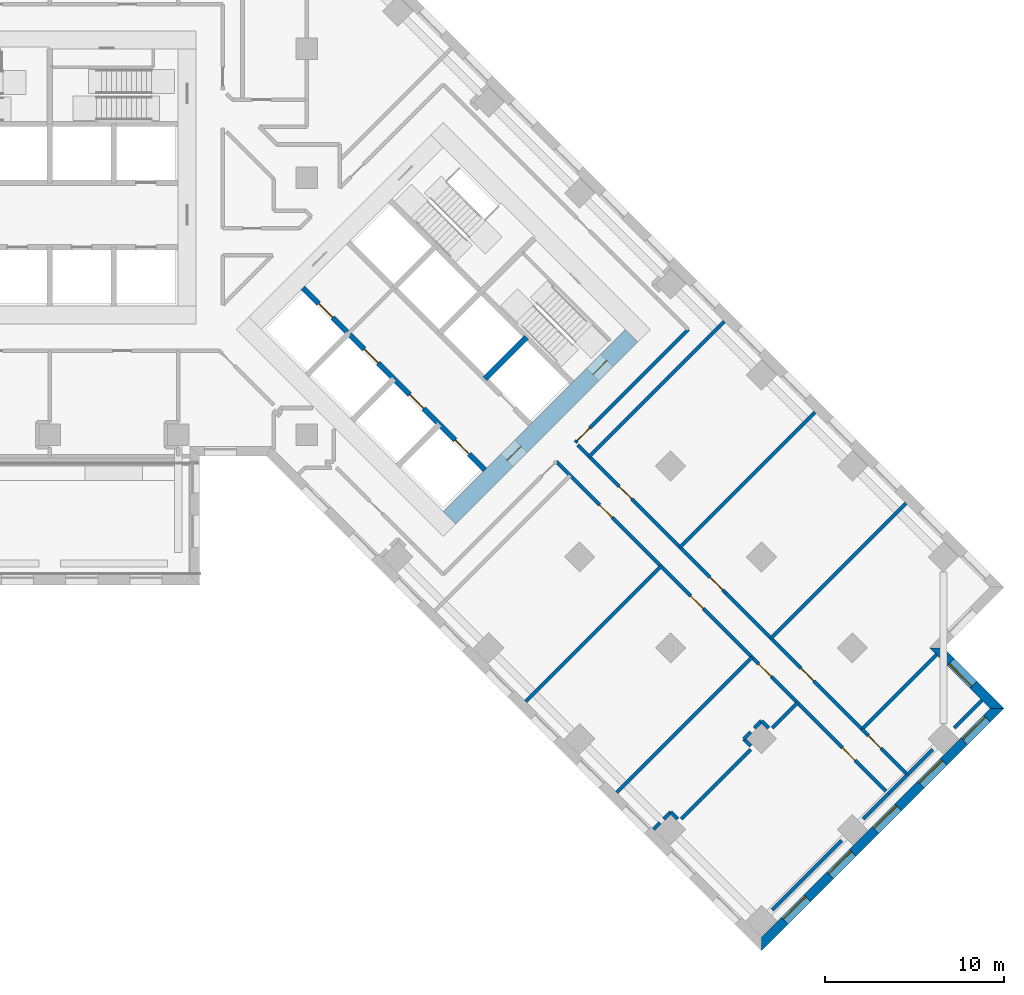
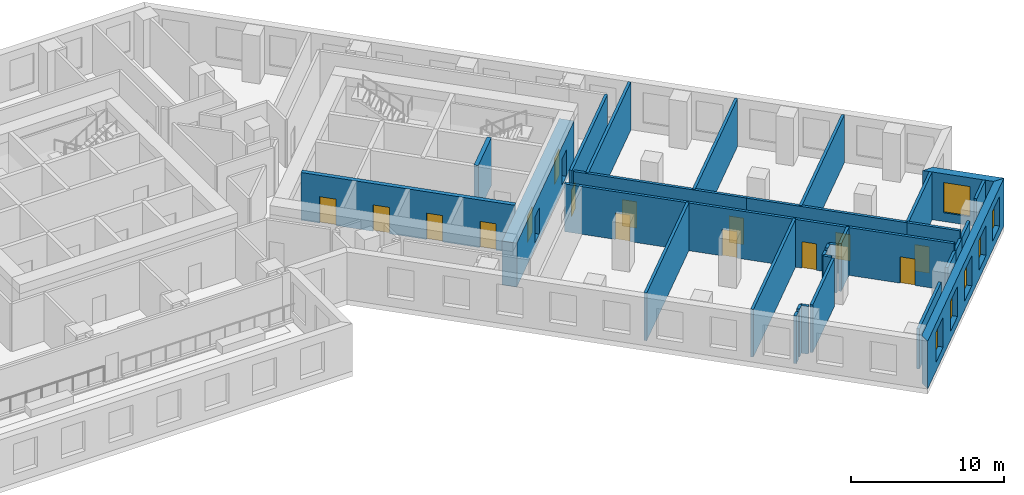
# One storey, part 8 of 14: 30 walls, 15 doors, 6 windows, 21 openings.
"""IFC4 building model written with IfcOpenShell, lengths in metres."""

from ifc_helpers import new_model, si_unit, direction, frame, frame_2d, origin, place, context, subcontext, project, spatial, polyline, rectangle, outline, extrude, material, layer, layer_set, type_object, element, fill, save


model = new_model("IFC4")

# Units and contexts
model_context = context("Model", 3, precision=1e-05, world=origin(), true_north=direction((0.0, 1.0)))
body_context = subcontext(model_context, "Body", "Model", "MODEL_VIEW")
ifc_project = project(units=[si_unit("LENGTHUNIT", "METRE"), si_unit("AREAUNIT", "SQUARE_METRE"), si_unit("VOLUMEUNIT", "CUBIC_METRE"), si_unit("PLANEANGLEUNIT", "RADIAN"), si_unit("MASSUNIT", "GRAM", prefix="KILO")], contexts=[model_context])

# Site, building, storey
site_placement = place(None, origin())
site = spatial("IfcSite", under=ifc_project, at=site_placement, CompositionType="ELEMENT")
building_placement = place(site_placement, origin())
building = spatial("IfcBuilding", under=site, at=building_placement, Name="Windrow Commons", CompositionType="ELEMENT")
storey_placement = place(building_placement, frame((0.0, 0.0, 18.6)))
storey = spatial("IfcBuildingStorey", under=building, at=storey_placement, Name="L04", CompositionType="ELEMENT", Elevation=18.6)

# Wall, openings, windows
ifc_material_1 = material(Name="Brick masonry, red clay brick", Category="masonry")
ifc_layer_1 = layer(ifc_material_1, 0.55)
ifc_layer_set_1 = layer_set([ifc_layer_1], Name="Brick facade wall 550")
wall_type_1 = type_object("IfcWallType", Name="Brick facade wall 550", PredefinedType="SOLIDWALL", material=ifc_layer_set_1)
wall_1_placement = place(storey_placement, frame((104.6558, 14.689, 0.0), z_axis=(0.0, 0.0, 1.0), x_axis=(0.7071094621, 0.7071041002, 0.0)))
wall_1 = element("IfcWall", 1, at=wall_1_placement, inside=storey, type_object=wall_type_1, Name="Brick facade wall L04 1", PredefinedType="SOLIDWALL", context=body_context, shape_type="SweptSolid", body=[
    extrude(outline(polyline([(-0.275, -0.275), (18.925, -0.275), (18.375, 0.275), (0.275, 0.275), (-0.275, -0.275)])), origin(), (0.0, 0.0, 1.0), 3.8),
])
opening_1_placement = place(wall_1_placement, frame((1.825, 0.0, 0.7)))
opening_1 = element("IfcOpeningElement", 2, at=opening_1_placement, cuts=wall_1, Name="Opening W2B", PredefinedType="OPENING", context=body_context, shape_type="SweptSolid", body=[
    extrude(rectangle(XDim=1.8, YDim=2.4, at=frame_2d((0.9, 1.2))), frame((0.0, 0.285, 0.0), z_axis=(0.0, -1.0, 0.0), x_axis=(1.0, 0.0, 0.0)), (0.0, 0.0, 1.0), 0.57),
])
opening_2_placement = place(wall_1_placement, frame((5.425, 0.0, 0.7)))
opening_2 = element("IfcOpeningElement", 3, at=opening_2_placement, cuts=wall_1, Name="Opening W2B", PredefinedType="OPENING", context=body_context, shape_type="SweptSolid", body=[
    extrude(rectangle(XDim=1.8, YDim=2.4, at=frame_2d((0.9, 1.2))), frame((0.0, 0.285, 0.0), z_axis=(0.0, -1.0, 0.0), x_axis=(1.0, 0.0, 0.0)), (0.0, 0.0, 1.0), 0.57),
])
opening_3_placement = place(wall_1_placement, frame((9.025, 0.0, 0.7)))
opening_3 = element("IfcOpeningElement", 4, at=opening_3_placement, cuts=wall_1, Name="Opening W2B", PredefinedType="OPENING", context=body_context, shape_type="SweptSolid", body=[
    extrude(rectangle(XDim=1.8, YDim=2.4, at=frame_2d((0.9, 1.2))), frame((0.0, 0.285, 0.0), z_axis=(0.0, -1.0, 0.0), x_axis=(1.0, 0.0, 0.0)), (0.0, 0.0, 1.0), 0.57),
])
opening_4_placement = place(wall_1_placement, frame((12.625, 0.0, 0.7)))
opening_4 = element("IfcOpeningElement", 5, at=opening_4_placement, cuts=wall_1, Name="Opening W2B", PredefinedType="OPENING", context=body_context, shape_type="SweptSolid", body=[
    extrude(rectangle(XDim=1.8, YDim=2.4, at=frame_2d((0.9, 1.2))), frame((0.0, 0.285, 0.0), z_axis=(0.0, -1.0, 0.0), x_axis=(1.0, 0.0, 0.0)), (0.0, 0.0, 1.0), 0.57),
])
opening_5_placement = place(wall_1_placement, frame((16.05, 0.0, 0.7)))
opening_5 = element("IfcOpeningElement", 6, at=opening_5_placement, cuts=wall_1, Name="Opening W2B", PredefinedType="OPENING", context=body_context, shape_type="SweptSolid", body=[
    extrude(rectangle(XDim=1.8, YDim=2.4, at=frame_2d((0.9, 1.2))), frame((0.0, 0.285, 0.0), z_axis=(0.0, -1.0, 0.0), x_axis=(1.0, 0.0, 0.0)), (0.0, 0.0, 1.0), 0.57),
])
ifc_material_2 = material(Name="Clear float glass in anodised aluminium frame", Category="aluminium")
window_type = type_object("IfcWindowType", Name="Window W2 podium 1800x2400", PartitioningType="SINGLE_PANEL", PredefinedType="WINDOW", material=ifc_material_2)
window_1_placement = place(opening_1_placement, origin())
window_1 = element("IfcWindow", 7, at=window_1_placement, inside=storey, type_object=window_type, Name="Window L04 1.1", OverallHeight=2.4, OverallWidth=1.8, PartitioningType="SINGLE_PANEL", PredefinedType="WINDOW", context=body_context, shape_type="SweptSolid", body=[
    extrude(rectangle(XDim=1.8, YDim=2.4, at=frame_2d((0.9, 1.2))), frame((0.0, 0.155, 0.0), z_axis=(0.0, -1.0, 0.0), x_axis=(1.0, 0.0, 0.0)), (0.0, 0.0, 1.0), 0.06),
])
fill(opening_1, window_1)
window_2_placement = place(opening_2_placement, origin())
window_2 = element("IfcWindow", 8, at=window_2_placement, inside=storey, type_object=window_type, Name="Window L04 1.2", OverallHeight=2.4, OverallWidth=1.8, PartitioningType="SINGLE_PANEL", PredefinedType="WINDOW", context=body_context, shape_type="SweptSolid", body=[
    extrude(rectangle(XDim=1.8, YDim=2.4, at=frame_2d((0.9, 1.2))), frame((0.0, 0.155, 0.0), z_axis=(0.0, -1.0, 0.0), x_axis=(1.0, 0.0, 0.0)), (0.0, 0.0, 1.0), 0.06),
])
fill(opening_2, window_2)
window_3_placement = place(opening_3_placement, origin())
window_3 = element("IfcWindow", 9, at=window_3_placement, inside=storey, type_object=window_type, Name="Window L04 1.3", OverallHeight=2.4, OverallWidth=1.8, PartitioningType="SINGLE_PANEL", PredefinedType="WINDOW", context=body_context, shape_type="SweptSolid", body=[
    extrude(rectangle(XDim=1.8, YDim=2.4, at=frame_2d((0.9, 1.2))), frame((0.0, 0.155, 0.0), z_axis=(0.0, -1.0, 0.0), x_axis=(1.0, 0.0, 0.0)), (0.0, 0.0, 1.0), 0.06),
])
fill(opening_3, window_3)
window_4_placement = place(opening_4_placement, origin())
window_4 = element("IfcWindow", 10, at=window_4_placement, inside=storey, type_object=window_type, Name="Window L04 1.4", OverallHeight=2.4, OverallWidth=1.8, PartitioningType="SINGLE_PANEL", PredefinedType="WINDOW", context=body_context, shape_type="SweptSolid", body=[
    extrude(rectangle(XDim=1.8, YDim=2.4, at=frame_2d((0.9, 1.2))), frame((0.0, 0.155, 0.0), z_axis=(0.0, -1.0, 0.0), x_axis=(1.0, 0.0, 0.0)), (0.0, 0.0, 1.0), 0.06),
])
fill(opening_4, window_4)
window_5_placement = place(opening_5_placement, origin())
window_5 = element("IfcWindow", 11, at=window_5_placement, inside=storey, type_object=window_type, Name="Window L04 1.5", OverallHeight=2.4, OverallWidth=1.8, PartitioningType="SINGLE_PANEL", PredefinedType="WINDOW", context=body_context, shape_type="SweptSolid", body=[
    extrude(rectangle(XDim=1.8, YDim=2.4, at=frame_2d((0.9, 1.2))), frame((0.0, 0.155, 0.0), z_axis=(0.0, -1.0, 0.0), x_axis=(1.0, 0.0, 0.0)), (0.0, 0.0, 1.0), 0.06),
])
fill(opening_5, window_5)

# Wall, opening, window
wall_2_placement = place(storey_placement, frame((117.8434, 27.8765, 0.0), z_axis=(0.0, 0.0, 1.0), x_axis=(-0.7071067812, 0.7071067812, 0.0)))
wall_2 = element("IfcWall", 12, at=wall_2_placement, inside=storey, type_object=wall_type_1, Name="Brick facade wall L04 2", PredefinedType="SOLIDWALL", context=body_context, shape_type="SweptSolid", body=[
    extrude(outline(polyline([(-0.275, -0.275), (4.525, -0.275), (5.075, 0.275), (0.275, 0.275), (-0.275, -0.275)])), origin(), (0.0, 0.0, 1.0), 3.8),
])
opening_6_placement = place(wall_2_placement, frame((1.8625, 0.0, 0.7)))
opening_6 = element("IfcOpeningElement", 13, at=opening_6_placement, cuts=wall_2, Name="Opening W2B", PredefinedType="OPENING", context=body_context, shape_type="SweptSolid", body=[
    extrude(rectangle(XDim=1.8, YDim=2.4, at=frame_2d((0.9, 1.2))), frame((0.0, 0.285, 0.0), z_axis=(0.0, -1.0, 0.0), x_axis=(1.0, 0.0, 0.0)), (0.0, 0.0, 1.0), 0.57),
])
window_6_placement = place(opening_6_placement, origin())
window_6 = element("IfcWindow", 14, at=window_6_placement, inside=storey, type_object=window_type, Name="Window L04 2.1", OverallHeight=2.4, OverallWidth=1.8, PartitioningType="SINGLE_PANEL", PredefinedType="WINDOW", context=body_context, shape_type="SweptSolid", body=[
    extrude(rectangle(XDim=1.8, YDim=2.4, at=frame_2d((0.9, 1.2))), frame((0.0, 0.155, 0.0), z_axis=(0.0, -1.0, 0.0), x_axis=(1.0, 0.0, 0.0)), (0.0, 0.0, 1.0), 0.06),
])
fill(opening_6, window_6)

# Wall, openings, doors
ifc_material_3 = material(Name="Blockwork partition", Category="masonry")
ifc_layer_2 = layer(ifc_material_3, 0.2)
ifc_layer_set_2 = layer_set([ifc_layer_2], Name="IW-CORRIDOR-200")
wall_type_2 = type_object("IfcWallType", Name="IW-CORRIDOR-200", PredefinedType="PARTITIONING", material=ifc_layer_set_2)
wall_3_placement = place(storey_placement, frame((93.1627, 41.6967, 0.0), z_axis=(0.0, 0.0, 1.0), x_axis=(0.7071067812, -0.7071067812, 0.0)))
wall_3 = element("IfcWall", 15, at=wall_3_placement, inside=storey, type_object=wall_type_2, Name="W-L04-W005", PredefinedType="PARTITIONING", context=body_context, shape_type="SweptSolid", body=[
    extrude(rectangle(XDim=26.2987, YDim=0.2, at=frame_2d((13.1494, 0.0))), origin(), (0.0, 0.0, 1.0), 3.8),
])
opening_7_placement = place(wall_3_placement, frame((3.4367, 0.0, 0.0)))
opening_7 = element("IfcOpeningElement", 16, at=opening_7_placement, cuts=wall_3, Name="Opening D310F", PredefinedType="OPENING", context=body_context, shape_type="SweptSolid", body=[
    extrude(rectangle(XDim=1.0, YDim=2.1, at=frame_2d((0.5, 1.05))), frame((0.0, 0.11, 0.0), z_axis=(0.0, -1.0, 0.0), x_axis=(1.0, 0.0, 0.0)), (0.0, 0.0, 1.0), 0.22),
])
opening_8_placement = place(wall_3_placement, frame((10.6367, 0.0, 0.0)))
opening_8 = element("IfcOpeningElement", 17, at=opening_8_placement, cuts=wall_3, Name="Opening D310F", PredefinedType="OPENING", context=body_context, shape_type="SweptSolid", body=[
    extrude(rectangle(XDim=1.0, YDim=2.1, at=frame_2d((0.5, 1.05))), frame((0.0, 0.11, 0.0), z_axis=(0.0, -1.0, 0.0), x_axis=(1.0, 0.0, 0.0)), (0.0, 0.0, 1.0), 0.22),
])
opening_9_placement = place(wall_3_placement, frame((16.0242, 0.0, 0.0)))
opening_9 = element("IfcOpeningElement", 18, at=opening_9_placement, cuts=wall_3, Name="Opening D310F", PredefinedType="OPENING", context=body_context, shape_type="SweptSolid", body=[
    extrude(rectangle(XDim=1.0, YDim=2.1, at=frame_2d((0.5, 1.05))), frame((0.0, 0.11, 0.0), z_axis=(0.0, -1.0, 0.0), x_axis=(1.0, 0.0, 0.0)), (0.0, 0.0, 1.0), 0.22),
])
opening_10_placement = place(wall_3_placement, frame((22.6567, 0.0, 0.0)))
opening_10 = element("IfcOpeningElement", 19, at=opening_10_placement, cuts=wall_3, Name="Opening D310F", PredefinedType="OPENING", context=body_context, shape_type="SweptSolid", body=[
    extrude(rectangle(XDim=1.0, YDim=2.1, at=frame_2d((0.5, 1.05))), frame((0.0, 0.11, 0.0), z_axis=(0.0, -1.0, 0.0), x_axis=(1.0, 0.0, 0.0)), (0.0, 0.0, 1.0), 0.22),
])
ifc_material_4 = material(Name="Timber door leaf", Category="wood")
door_type_1 = type_object("IfcDoorType", Name="DT-AMENITY-1000", OperationType="SINGLE_SWING_LEFT", PredefinedType="DOOR", material=ifc_material_4)
door_1_placement = place(opening_7_placement, origin())
door_1 = element("IfcDoor", 20, at=door_1_placement, inside=storey, type_object=door_type_1, Name="D-L04-D039", OperationType="SINGLE_SWING_LEFT", OverallHeight=2.1, OverallWidth=1.0, PredefinedType="DOOR", context=body_context, shape_type="SweptSolid", body=[
    extrude(rectangle(XDim=1.0, YDim=2.1, at=frame_2d((0.5, 1.05))), frame((0.0, 0.025, 0.0), z_axis=(0.0, -1.0, 0.0), x_axis=(1.0, 0.0, 0.0)), (0.0, 0.0, 1.0), 0.05),
])
fill(opening_7, door_1)
door_2_placement = place(opening_8_placement, origin())
door_2 = element("IfcDoor", 21, at=door_2_placement, inside=storey, type_object=door_type_1, Name="D-L04-D040", OperationType="SINGLE_SWING_LEFT", OverallHeight=2.1, OverallWidth=1.0, PredefinedType="DOOR", context=body_context, shape_type="SweptSolid", body=[
    extrude(rectangle(XDim=1.0, YDim=2.1, at=frame_2d((0.5, 1.05))), frame((0.0, 0.025, 0.0), z_axis=(0.0, -1.0, 0.0), x_axis=(1.0, 0.0, 0.0)), (0.0, 0.0, 1.0), 0.05),
])
fill(opening_8, door_2)
door_3_placement = place(opening_9_placement, origin())
door_3 = element("IfcDoor", 22, at=door_3_placement, inside=storey, type_object=door_type_1, Name="D-L04-D041", OperationType="SINGLE_SWING_LEFT", OverallHeight=2.1, OverallWidth=1.0, PredefinedType="DOOR", context=body_context, shape_type="SweptSolid", body=[
    extrude(rectangle(XDim=1.0, YDim=2.1, at=frame_2d((0.5, 1.05))), frame((0.0, 0.025, 0.0), z_axis=(0.0, -1.0, 0.0), x_axis=(1.0, 0.0, 0.0)), (0.0, 0.0, 1.0), 0.05),
])
fill(opening_9, door_3)
door_4_placement = place(opening_10_placement, origin())
door_4 = element("IfcDoor", 23, at=door_4_placement, inside=storey, type_object=door_type_1, Name="D-L04-D042", OperationType="SINGLE_SWING_RIGHT", OverallHeight=2.1, OverallWidth=1.0, PredefinedType="DOOR", context=body_context, shape_type="SweptSolid", body=[
    extrude(rectangle(XDim=1.0, YDim=2.1, at=frame_2d((0.5, 1.05))), frame((0.0, 0.025, 0.0), z_axis=(0.0, -1.0, 0.0), x_axis=(1.0, 0.0, 0.0)), (0.0, 0.0, 1.0), 0.05),
])
fill(opening_10, door_4)

# Wall, opening, door
wall_4_placement = place(storey_placement, frame((110.2814, 26.7134, 0.0), z_axis=(0.0, 0.0, 1.0), x_axis=(-0.7072363947, 0.7069771439, 0.0)))
wall_4 = element("IfcWall", 24, at=wall_4_placement, inside=storey, type_object=wall_type_2, Name="W-L04-W013", PredefinedType="PARTITIONING", context=body_context, shape_type="SweptSolid", body=[
    extrude(rectangle(XDim=10.8003, YDim=0.2, at=frame_2d((5.4002, 0.0))), origin(), (0.0, 0.0, 1.0), 3.8),
])
opening_11_placement = place(wall_4_placement, frame((3.8266, 0.0, 0.0)))
opening_11 = element("IfcOpeningElement", 25, at=opening_11_placement, cuts=wall_4, Name="Opening D310F", PredefinedType="OPENING", context=body_context, shape_type="SweptSolid", body=[
    extrude(rectangle(XDim=1.0, YDim=2.1, at=frame_2d((0.5, 1.05))), frame((0.0, 0.11, 0.0), z_axis=(0.0, -1.0, 0.0), x_axis=(1.0, 0.0, 0.0)), (0.0, 0.0, 1.0), 0.22),
])
door_5_placement = place(opening_11_placement, origin())
door_5 = element("IfcDoor", 26, at=door_5_placement, inside=storey, type_object=door_type_1, Name="D-L04-D037", OperationType="SINGLE_SWING_RIGHT", OverallHeight=2.1, OverallWidth=1.0, PredefinedType="DOOR", context=body_context, shape_type="SweptSolid", body=[
    extrude(rectangle(XDim=1.0, YDim=2.1, at=frame_2d((0.5, 1.05))), frame((0.0, 0.025, 0.0), z_axis=(0.0, -1.0, 0.0), x_axis=(1.0, 0.0, 0.0)), (0.0, 0.0, 1.0), 0.05),
])
fill(opening_11, door_5)

wall_5_placement = place(storey_placement, frame((94.2256, 42.7624, 0.0), z_axis=(0.0, 0.0, 1.0), x_axis=(0.7071067812, 0.7071067812, 0.0)))
wall_5 = element("IfcWall", 27, at=wall_5_placement, inside=storey, type_object=wall_type_2, Name="W-L04-W032", PredefinedType="PARTITIONING", context=body_context, shape_type="SweptSolid", body=[
    extrude(rectangle(XDim=8.9491, YDim=0.2, at=frame_2d((4.4745, 0.0))), origin(), (0.0, 0.0, 1.0), 3.8),
])
opening_12_placement = place(wall_5_placement, frame((0.1494, 0.0, 0.0)))
opening_12 = element("IfcOpeningElement", 28, at=opening_12_placement, cuts=wall_5, Name="Opening D310F", PredefinedType="OPENING", context=body_context, shape_type="SweptSolid", body=[
    extrude(rectangle(XDim=1.0, YDim=2.1, at=frame_2d((0.5, 1.05))), frame((0.0, 0.11, 0.0), z_axis=(0.0, -1.0, 0.0), x_axis=(1.0, 0.0, 0.0)), (0.0, 0.0, 1.0), 0.22),
])
door_6_placement = place(opening_12_placement, origin())
door_6 = element("IfcDoor", 29, at=door_6_placement, inside=storey, type_object=door_type_1, Name="D-L04-D034", OperationType="SINGLE_SWING_LEFT", OverallHeight=2.1, OverallWidth=1.0, PredefinedType="DOOR", context=body_context, shape_type="SweptSolid", body=[
    extrude(rectangle(XDim=1.0, YDim=2.1, at=frame_2d((0.5, 1.05))), frame((0.0, 0.025, 0.0), z_axis=(0.0, -1.0, 0.0), x_axis=(1.0, 0.0, 0.0)), (0.0, 0.0, 1.0), 0.05),
])
fill(opening_12, door_6)

# Wall, openings, doors
wall_6_placement = place(storey_placement, frame((94.3714, 42.6234, 0.0), z_axis=(0.0, 0.0, 1.0), x_axis=(0.7071067812, -0.7071067812, 0.0)))
wall_6 = element("IfcWall", 30, at=wall_6_placement, inside=storey, type_object=wall_type_2, Name="W-L04-W035", PredefinedType="PARTITIONING", context=body_context, shape_type="SweptSolid", body=[
    extrude(outline(polyline([(0.0, -0.1), (11.6998, -0.1), (11.6998, 0.1), (0.0, 0.1), (0.0, -0.1)])), origin(), (0.0, 0.0, 1.0), 3.8),
])
opening_13_placement = place(wall_6_placement, frame((3.2736, 0.0, 0.0)))
opening_13 = element("IfcOpeningElement", 31, at=opening_13_placement, cuts=wall_6, Name="Opening D310F", PredefinedType="OPENING", context=body_context, shape_type="SweptSolid", body=[
    extrude(rectangle(XDim=1.0, YDim=2.1, at=frame_2d((0.5, 1.05))), frame((0.0, 0.11, 0.0), z_axis=(0.0, -1.0, 0.0), x_axis=(1.0, 0.0, 0.0)), (0.0, 0.0, 1.0), 0.22),
])
opening_14_placement = place(wall_6_placement, frame((10.4735, 0.0, 0.0)))
opening_14 = element("IfcOpeningElement", 32, at=opening_14_placement, cuts=wall_6, Name="Opening D310F", PredefinedType="OPENING", context=body_context, shape_type="SweptSolid", body=[
    extrude(rectangle(XDim=1.0, YDim=2.1, at=frame_2d((0.5, 1.05))), frame((0.0, 0.11, 0.0), z_axis=(0.0, -1.0, 0.0), x_axis=(1.0, 0.0, 0.0)), (0.0, 0.0, 1.0), 0.22),
])
door_7_placement = place(opening_13_placement, origin())
door_7 = element("IfcDoor", 33, at=door_7_placement, inside=storey, type_object=door_type_1, Name="D-L04-D035", OperationType="SINGLE_SWING_RIGHT", OverallHeight=2.1, OverallWidth=1.0, PredefinedType="DOOR", context=body_context, shape_type="SweptSolid", body=[
    extrude(rectangle(XDim=1.0, YDim=2.1, at=frame_2d((0.5, 1.05))), frame((0.0, 0.025, 0.0), z_axis=(0.0, -1.0, 0.0), x_axis=(1.0, 0.0, 0.0)), (0.0, 0.0, 1.0), 0.05),
])
fill(opening_13, door_7)
door_8_placement = place(opening_14_placement, origin())
door_8 = element("IfcDoor", 34, at=door_8_placement, inside=storey, type_object=door_type_1, Name="D-L04-D036", OperationType="SINGLE_SWING_RIGHT", OverallHeight=2.1, OverallWidth=1.0, PredefinedType="DOOR", context=body_context, shape_type="SweptSolid", body=[
    extrude(rectangle(XDim=1.0, YDim=2.1, at=frame_2d((0.5, 1.05))), frame((0.0, 0.025, 0.0), z_axis=(0.0, -1.0, 0.0), x_axis=(1.0, 0.0, 0.0)), (0.0, 0.0, 1.0), 0.05),
])
fill(opening_14, door_8)

# Wall, opening, door
wall_7_placement = place(storey_placement, frame((110.2792, 26.7112, 0.0), z_axis=(0.0, 0.0, 1.0), x_axis=(0.7068288851, -0.7073845681, 0.0)))
wall_7 = element("IfcWall", 35, at=wall_7_placement, inside=storey, type_object=wall_type_2, Name="W-L04-W070", PredefinedType="PARTITIONING", context=body_context, shape_type="SweptSolid", body=[
    extrude(rectangle(XDim=3.5992, YDim=0.2, at=frame_2d((1.7996, 0.0))), origin(), (0.0, 0.0, 1.0), 3.8),
])
opening_15_placement = place(wall_7_placement, frame((0.5072, 0.0, 0.0)))
opening_15 = element("IfcOpeningElement", 36, at=opening_15_placement, cuts=wall_7, Name="Opening D310F", PredefinedType="OPENING", context=body_context, shape_type="SweptSolid", body=[
    extrude(rectangle(XDim=1.0, YDim=2.1, at=frame_2d((0.5, 1.05))), frame((0.0, 0.11, 0.0), z_axis=(0.0, -1.0, 0.0), x_axis=(1.0, 0.0, 0.0)), (0.0, 0.0, 1.0), 0.22),
])
door_9_placement = place(opening_15_placement, origin())
door_9 = element("IfcDoor", 37, at=door_9_placement, inside=storey, type_object=door_type_1, Name="D-L04-D043", OperationType="SINGLE_SWING_RIGHT", OverallHeight=2.1, OverallWidth=1.0, PredefinedType="DOOR", context=body_context, shape_type="SweptSolid", body=[
    extrude(rectangle(XDim=1.0, YDim=2.1, at=frame_2d((0.5, 1.05))), frame((0.0, 0.025, 0.0), z_axis=(0.0, -1.0, 0.0), x_axis=(1.0, 0.0, 0.0)), (0.0, 0.0, 1.0), 0.05),
])
fill(opening_15, door_9)

# Walls
wall_8_placement = place(storey_placement, frame((111.7615, 23.1045, 0.0), z_axis=(0.0, 0.0, 1.0), x_axis=(0.7071067812, 0.7071067812, 0.0)))
element("IfcWall", 38, at=wall_8_placement, inside=storey, type_object=wall_type_2, Name="W-L04-W097", PredefinedType="PARTITIONING", context=body_context, shape_type="SweptSolid", body=[
    extrude(rectangle(XDim=1.4991, YDim=0.2, at=frame_2d((0.7496, 0.0))), origin(), (0.0, 0.0, 1.0), 3.2),
])
ifc_material_5 = material(Name="Blockwork partition", Category="masonry")
ifc_layer_3 = layer(ifc_material_5, 0.2)
ifc_layer_set_3 = layer_set([ifc_layer_3], Name="IW-PARTY-200")
wall_type_3 = type_object("IfcWallType", Name="IW-PARTY-200", PredefinedType="PARTITIONING", material=ifc_layer_set_3)
wall_9_placement = place(storey_placement, frame((96.5586, 23.1751, 0.0), z_axis=(0.0, 0.0, 1.0), x_axis=(0.707111454, 0.7071021083, 0.0)))
element("IfcWall", 39, at=wall_9_placement, inside=storey, type_object=wall_type_3, Name="W-L04-W014", PredefinedType="PARTITIONING", context=body_context, shape_type="SweptSolid", body=[
    extrude(rectangle(XDim=10.7002, YDim=0.2, at=frame_2d((5.3501, 0.0))), origin(), (0.0, 0.0, 1.0), 3.8),
])
wall_10_placement = place(storey_placement, frame((91.4675, 28.2663, 0.0), z_axis=(0.0, 0.0, 1.0), x_axis=(0.7071067812, 0.7071067812, 0.0)))
element("IfcWall", 40, at=wall_10_placement, inside=storey, type_object=wall_type_3, Name="W-L04-W016", PredefinedType="PARTITIONING", context=body_context, shape_type="SweptSolid", body=[
    extrude(rectangle(XDim=10.7001, YDim=0.2, at=frame_2d((5.3501, 0.0))), origin(), (0.0, 0.0, 1.0), 3.8),
])
for number, where, z_axis, x_axis, name in (
    (41, (95.0034, 41.9846, 0.0), (0.0, 0.0, 1.0), (0.7071114543, 0.707102108, 0.0), "W-L04-W028"),
    (42, (100.0946, 36.8934, 0.0), (0.0, 0.0, 1.0), (0.7071067812, 0.7071067812, 0.0), "W-L04-W029"),
    (43, (105.1858, 31.8022, 0.0), (0.0, 0.0, 1.0), (0.707102108, 0.7071114543, 0.0), "W-L04-W030"),
):
    element("IfcWall", number, at=place(storey_placement, frame(where, z_axis=z_axis, x_axis=x_axis)), inside=storey, type_object=wall_type_3, Name=name, PredefinedType="PARTITIONING", context=body_context, shape_type="SweptSolid", body=[
        extrude(rectangle(XDim=10.6994, YDim=0.2, at=frame_2d((5.3497, 0.0))), origin(), (0.0, 0.0, 1.0), 3.8),
    ])
wall_11_placement = place(storey_placement, frame((110.2769, 26.7111, 0.0), z_axis=(0.0, 0.0, 1.0), x_axis=(0.7071067812, 0.7071067812, 0.0)))
element("IfcWall", 44, at=wall_11_placement, inside=storey, type_object=wall_type_3, Name="W-L04-W042", PredefinedType="PARTITIONING", context=body_context, shape_type="SweptSolid", body=[
    extrude(rectangle(XDim=5.8994, YDim=0.2, at=frame_2d((2.9497, 0.0))), origin(), (0.0, 0.0, 1.0), 3.8),
])
wall_12_placement = place(storey_placement, frame((105.2555, 16.5985, 0.0), z_axis=(0.0, 0.0, 1.0), x_axis=(0.7071067812, 0.7071067812, 0.0)))
element("IfcWall", 45, at=wall_12_placement, inside=storey, type_object=wall_type_3, Name="W-L04-W054", PredefinedType="PARTITIONING", context=body_context, shape_type="SweptSolid", body=[
    extrude(rectangle(XDim=5.5041, YDim=0.2, at=frame_2d((2.7521, 0.0))), origin(), (0.0, 0.0, 1.0), 3.2),
])
wall_13_placement = place(storey_placement, frame((100.1634, 21.6886, 0.0), z_axis=(0.0, 0.0, 1.0), x_axis=(0.7071067812, 0.7071067812, 0.0)))
element("IfcWall", 46, at=wall_13_placement, inside=storey, type_object=wall_type_3, Name="W-L04-W055", PredefinedType="PARTITIONING", context=body_context, shape_type="SweptSolid", body=[
    extrude(rectangle(XDim=5.5041, YDim=0.2, at=frame_2d((2.7521, 0.0))), origin(), (0.0, 0.0, 1.0), 3.8),
])
wall_14_placement = place(storey_placement, frame((115.4375, 26.7805, 0.0), z_axis=(0.0, 0.0, 1.0), x_axis=(0.7071067812, 0.7071067812, 0.0)))
element("IfcWall", 47, at=wall_14_placement, inside=storey, type_object=wall_type_3, Name="W-L04-W081", PredefinedType="PARTITIONING", context=body_context, shape_type="SweptSolid", body=[
    extrude(rectangle(XDim=2.2012, YDim=0.2, at=frame_2d((1.1006, 0.0))), origin(), (0.0, 0.0, 1.0), 3.8),
])
for number, where, z_axis, x_axis, name in (
    (48, (110.3455, 21.6885, 0.0), (0.0, 0.0, 1.0), (0.7071067812, 0.7071067812, 0.0), "W-L04-W088"),
    (49, (112.8215, 24.1645, 0.0), (0.0, 0.0, 1.0), (0.7071067812, 0.7071067812, 0.0), "W-L04-W089"),
):
    element("IfcWall", number, at=place(storey_placement, frame(where, z_axis=z_axis, x_axis=x_axis)), inside=storey, type_object=wall_type_3, Name=name, PredefinedType="PARTITIONING", context=body_context, shape_type="SweptSolid", body=[
        extrude(rectangle(XDim=2.0025, YDim=0.2, at=frame_2d((1.0012, 0.0))), origin(), (0.0, 0.0, 1.0), 3.2),
    ])
wall_15_placement = place(storey_placement, frame((105.2525, 26.7835, 0.0), z_axis=(0.0, 0.0, 1.0), x_axis=(0.7076063266, 0.7066068826, 0.0)))
element("IfcWall", 50, at=wall_15_placement, inside=storey, type_object=wall_type_3, Name="W-L04-W090", PredefinedType="PARTITIONING", context=body_context, shape_type="SweptSolid", body=[
    extrude(rectangle(XDim=2.0011, YDim=0.2, at=frame_2d((1.0006, 0.0))), origin(), (0.0, 0.0, 1.0), 3.8),
])
for number, where, z_axis, x_axis, name in (
    (51, (99.5683, 22.0823, 0.0), (0.0, 0.0, 1.0), (0.7071067812, -0.7071067812, 0.0), "W-L04-W140"),
    (52, (99.1734, 21.6886, 0.0), (0.0, 0.0, 1.0), (0.7071067812, 0.7071067812, 0.0), "W-L04-W142"),
    (53, (103.6614, 26.1766, 0.0), (0.0, 0.0, 1.0), (0.7071067812, 0.7071067812, 0.0), "W-L04-W144"),
    (54, (103.6625, 26.1765, 0.0), (0.0, 0.0, 1.0), (0.7071067812, -0.7071067812, 0.0), "W-L04-W145"),
):
    element("IfcWall", number, at=place(storey_placement, frame(where, z_axis=z_axis, x_axis=x_axis)), inside=storey, type_object=wall_type_3, Name=name, PredefinedType="PARTITIONING", context=body_context, shape_type="SweptSolid", body=[
        extrude(rectangle(XDim=0.5572, YDim=0.2, at=frame_2d((0.2786, 0.0))), origin(), (0.0, 0.0, 1.0), 3.8),
    ])
wall_16_placement = place(storey_placement, frame((104.2625, 26.7835, 0.0), z_axis=(0.0, 0.0, 1.0), x_axis=(0.7089037401, 0.705305244, 0.0)))
element("IfcWall", 55, at=wall_16_placement, inside=storey, type_object=wall_type_3, Name="W-L04-W146", PredefinedType="PARTITIONING", context=body_context, shape_type="SweptSolid", body=[
    extrude(rectangle(XDim=0.5558, YDim=0.2, at=frame_2d((0.2779, 0.0))), origin(), (0.0, 0.0, 1.0), 3.8),
])
wall_17_placement = place(storey_placement, frame((104.6605, 27.1725, 0.0), z_axis=(0.0, 0.0, 1.0), x_axis=(0.7071067812, -0.7071067812, 0.0)))
element("IfcWall", 56, at=wall_17_placement, inside=storey, type_object=wall_type_3, Name="W-L04-W150", PredefinedType="PARTITIONING", context=body_context, shape_type="SweptSolid", body=[
    extrude(rectangle(XDim=0.5544, YDim=0.2, at=frame_2d((0.2772, 0.0))), origin(), (0.0, 0.0, 1.0), 3.8),
])
wall_18_placement = place(storey_placement, frame((98.6092, 21.1245, 0.0), z_axis=(0.0, 0.0, 1.0), x_axis=(0.7072066057, 0.7070069426, 0.0)))
element("IfcWall", 57, at=wall_18_placement, inside=storey, type_object=wall_type_3, Name="W-L04-W166", PredefinedType="PARTITIONING", context=body_context, shape_type="SweptSolid", body=[
    extrude(rectangle(XDim=0.5008, YDim=0.2, at=frame_2d((0.2504, 0.0))), origin(), (0.0, 0.0, 1.0), 3.8),
])

# Wall, openings, doors
ifc_material_6 = material(Name="Concrete C60/75", Category="concrete")
ifc_layer_4 = layer(ifc_material_6, 1.0)
ifc_layer_set_4 = layer_set([ifc_layer_4], Name="RC CORE WALL 1000 C60/75")
wall_type_4 = type_object("IfcWallType", Name="RC CORE WALL 1000 C60/75", PredefinedType="SHEAR", material=ifc_layer_set_4)
wall_19_placement = place(storey_placement, frame((87.1903, 38.5538, -0.4), z_axis=(0.0, 0.0, 1.0), x_axis=(0.707103309, 0.7071102534, 0.0)))
wall_19 = element("IfcWall", 58, at=wall_19_placement, inside=storey, type_object=wall_type_4, Name="Core B wall outer-E", PredefinedType="SHEAR", context=body_context, shape_type="SweptSolid", body=[
    extrude(rectangle(XDim=14.4, YDim=1.0, at=frame_2d((7.2, 0.0))), origin(), (0.0, 0.0, 1.0), 3.5),
])
opening_16_placement = place(wall_19_placement, frame((4.55, 0.0, 0.4)))
opening_16 = element("IfcOpeningElement", 59, at=opening_16_placement, cuts=wall_19, Name="Opening D6", PredefinedType="OPENING", context=body_context, shape_type="SweptSolid", body=[
    extrude(rectangle(XDim=1.1, YDim=2.1, at=frame_2d((0.55, 1.05))), frame((0.0, 0.51, 0.0), z_axis=(0.0, -1.0, 0.0), x_axis=(1.0, 0.0, 0.0)), (0.0, 0.0, 1.0), 1.02),
])
opening_17_placement = place(wall_19_placement, frame((11.35, 0.0, 0.4)))
opening_17 = element("IfcOpeningElement", 60, at=opening_17_placement, cuts=wall_19, Name="Opening D7", PredefinedType="OPENING", context=body_context, shape_type="SweptSolid", body=[
    extrude(rectangle(XDim=1.1, YDim=2.1, at=frame_2d((0.55, 1.05))), frame((0.0, 0.51, 0.0), z_axis=(0.0, -1.0, 0.0), x_axis=(1.0, 0.0, 0.0)), (0.0, 0.0, 1.0), 1.02),
])
ifc_material_7 = material(Name="Steel fire door leaf", Category="steel")
door_type_2 = type_object("IfcDoorType", Name="Core lobby door 1100", OperationType="SINGLE_SWING_LEFT", PredefinedType="DOOR", material=ifc_material_7)
door_10_placement = place(opening_16_placement, origin())
door_10 = element("IfcDoor", 61, at=door_10_placement, inside=storey, type_object=door_type_2, Name="Lift lobby door", OperationType="DOUBLE_DOOR_SINGLE_SWING", OverallHeight=2.1, OverallWidth=1.1, PredefinedType="DOOR", context=body_context, shape_type="SweptSolid", body=[
    extrude(rectangle(XDim=1.1, YDim=2.1, at=frame_2d((0.55, 1.05))), frame((0.0, 0.025, 0.0), z_axis=(0.0, -1.0, 0.0), x_axis=(1.0, 0.0, 0.0)), (0.0, 0.0, 1.0), 0.05),
])
fill(opening_16, door_10)
ifc_material_8 = material(Name="Steel fire door leaf", Category="steel")
door_type_3 = type_object("IfcDoorType", Name="Stair door 1100", OperationType="SINGLE_SWING_LEFT", PredefinedType="DOOR", material=ifc_material_8)
door_11_placement = place(opening_17_placement, origin())
door_11 = element("IfcDoor", 62, at=door_11_placement, inside=storey, type_object=door_type_3, Name="Stair door", OperationType="SINGLE_SWING_RIGHT", OverallHeight=2.1, OverallWidth=1.1, PredefinedType="DOOR", context=body_context, shape_type="SweptSolid", body=[
    extrude(rectangle(XDim=1.1, YDim=2.1, at=frame_2d((0.55, 1.05))), frame((0.0, 0.025, 0.0), z_axis=(0.0, -1.0, 0.0), x_axis=(1.0, 0.0, 0.0)), (0.0, 0.0, 1.0), 0.05),
])
fill(opening_17, door_11)

# Wall
ifc_material_9 = material(Name="Concrete C60/75", Category="concrete")
ifc_layer_5 = layer(ifc_material_9, 0.3)
ifc_layer_set_5 = layer_set([ifc_layer_5], Name="RC SHAFT WALL 300 C60/75")
wall_type_5 = type_object("IfcWallType", Name="RC SHAFT WALL 300 C60/75", PredefinedType="SOLIDWALL", material=ifc_layer_set_5)
wall_20_placement = place(storey_placement, frame((89.1702, 46.332, 0.0), z_axis=(0.0, 0.0, 1.0), x_axis=(0.7071067812, 0.7071067812, 0.0)))
element("IfcWall", 63, at=wall_20_placement, inside=storey, type_object=wall_type_5, Name="Core B wall shaft-N3", PredefinedType="SOLIDWALL", context=body_context, shape_type="SweptSolid", body=[
    extrude(rectangle(XDim=3.3001, YDim=0.3, at=frame_2d((1.6501, 0.0))), origin(), (0.0, 0.0, 1.0), 3.8),
])

# Wall, openings, doors
wall_21_placement = place(storey_placement, frame((78.9879, 51.4232, 0.0), z_axis=(0.0, 0.0, 1.0), x_axis=(0.7071067812, -0.7071067812, 0.0)))
wall_21 = element("IfcWall", 64, at=wall_21_placement, inside=storey, type_object=wall_type_5, Name="Core B wall lobby-S", PredefinedType="SOLIDWALL", context=body_context, shape_type="SweptSolid", body=[
    extrude(rectangle(XDim=14.3999, YDim=0.3, at=frame_2d((7.2, 0.0))), origin(), (0.0, 0.0, 1.0), 3.8),
])
opening_18_placement = place(wall_21_placement, frame((1.25, 0.0, 0.0)))
opening_18 = element("IfcOpeningElement", 65, at=opening_18_placement, cuts=wall_21, Name="Opening LD", PredefinedType="OPENING", context=body_context, shape_type="SweptSolid", body=[
    extrude(rectangle(XDim=1.1, YDim=2.1, at=frame_2d((0.55, 1.05))), frame((0.0, 0.16, 0.0), z_axis=(0.0, -1.0, 0.0), x_axis=(1.0, 0.0, 0.0)), (0.0, 0.0, 1.0), 0.32),
])
opening_19_placement = place(wall_21_placement, frame((4.85, 0.0, 0.0)))
opening_19 = element("IfcOpeningElement", 66, at=opening_19_placement, cuts=wall_21, Name="Opening LD", PredefinedType="OPENING", context=body_context, shape_type="SweptSolid", body=[
    extrude(rectangle(XDim=1.1, YDim=2.1, at=frame_2d((0.55, 1.05))), frame((0.0, 0.16, 0.0), z_axis=(0.0, -1.0, 0.0), x_axis=(1.0, 0.0, 0.0)), (0.0, 0.0, 1.0), 0.32),
])
opening_20_placement = place(wall_21_placement, frame((8.45, 0.0, 0.0)))
opening_20 = element("IfcOpeningElement", 67, at=opening_20_placement, cuts=wall_21, Name="Opening LD", PredefinedType="OPENING", context=body_context, shape_type="SweptSolid", body=[
    extrude(rectangle(XDim=1.1, YDim=2.1, at=frame_2d((0.55, 1.05))), frame((0.0, 0.16, 0.0), z_axis=(0.0, -1.0, 0.0), x_axis=(1.0, 0.0, 0.0)), (0.0, 0.0, 1.0), 0.32),
])
opening_21_placement = place(wall_21_placement, frame((12.05, 0.0, 0.0)))
opening_21 = element("IfcOpeningElement", 68, at=opening_21_placement, cuts=wall_21, Name="Opening LD", PredefinedType="OPENING", context=body_context, shape_type="SweptSolid", body=[
    extrude(rectangle(XDim=1.1, YDim=2.1, at=frame_2d((0.55, 1.05))), frame((0.0, 0.16, 0.0), z_axis=(0.0, -1.0, 0.0), x_axis=(1.0, 0.0, 0.0)), (0.0, 0.0, 1.0), 0.32),
])
ifc_material_10 = material(Name="Stainless steel door leaf", Category="steel")
door_type_4 = type_object("IfcDoorType", Name="Lift landing door 1100", OperationType="SLIDING_TO_LEFT", PredefinedType="DOOR", material=ifc_material_10)
door_12_placement = place(opening_18_placement, origin())
door_12 = element("IfcDoor", 69, at=door_12_placement, inside=storey, type_object=door_type_4, Name="Lift landing door", OperationType="SLIDING_TO_LEFT", OverallHeight=2.1, OverallWidth=1.1, PredefinedType="DOOR", context=body_context, shape_type="SweptSolid", body=[
    extrude(rectangle(XDim=1.1, YDim=2.1, at=frame_2d((0.55, 1.05))), frame((0.0, 0.025, 0.0), z_axis=(0.0, -1.0, 0.0), x_axis=(1.0, 0.0, 0.0)), (0.0, 0.0, 1.0), 0.05),
])
fill(opening_18, door_12)
door_13_placement = place(opening_19_placement, origin())
door_13 = element("IfcDoor", 70, at=door_13_placement, inside=storey, type_object=door_type_4, Name="Lift landing door", OperationType="SLIDING_TO_RIGHT", OverallHeight=2.1, OverallWidth=1.1, PredefinedType="DOOR", context=body_context, shape_type="SweptSolid", body=[
    extrude(rectangle(XDim=1.1, YDim=2.1, at=frame_2d((0.55, 1.05))), frame((0.0, 0.025, 0.0), z_axis=(0.0, -1.0, 0.0), x_axis=(1.0, 0.0, 0.0)), (0.0, 0.0, 1.0), 0.05),
])
fill(opening_19, door_13)
door_14_placement = place(opening_20_placement, origin())
door_14 = element("IfcDoor", 71, at=door_14_placement, inside=storey, type_object=door_type_4, Name="Lift landing door", OperationType="SLIDING_TO_LEFT", OverallHeight=2.1, OverallWidth=1.1, PredefinedType="DOOR", context=body_context, shape_type="SweptSolid", body=[
    extrude(rectangle(XDim=1.1, YDim=2.1, at=frame_2d((0.55, 1.05))), frame((0.0, 0.025, 0.0), z_axis=(0.0, -1.0, 0.0), x_axis=(1.0, 0.0, 0.0)), (0.0, 0.0, 1.0), 0.05),
])
fill(opening_20, door_14)
door_15_placement = place(opening_21_placement, origin())
door_15 = element("IfcDoor", 72, at=door_15_placement, inside=storey, type_object=door_type_4, Name="Lift landing door", OperationType="SLIDING_TO_RIGHT", OverallHeight=2.1, OverallWidth=1.1, PredefinedType="DOOR", context=body_context, shape_type="SweptSolid", body=[
    extrude(rectangle(XDim=1.1, YDim=2.1, at=frame_2d((0.55, 1.05))), frame((0.0, 0.025, 0.0), z_axis=(0.0, -1.0, 0.0), x_axis=(1.0, 0.0, 0.0)), (0.0, 0.0, 1.0), 0.05),
])
fill(opening_21, door_15)

save(model, "model.ifc")
